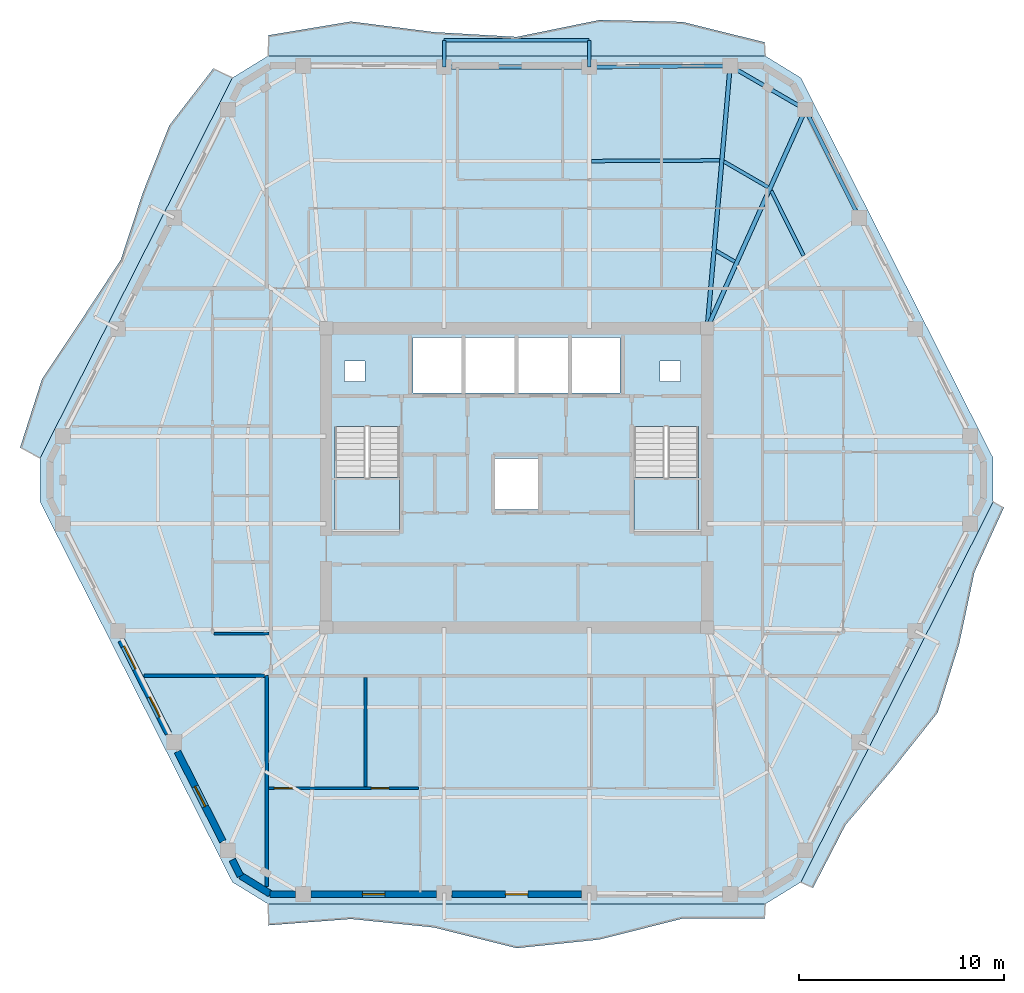
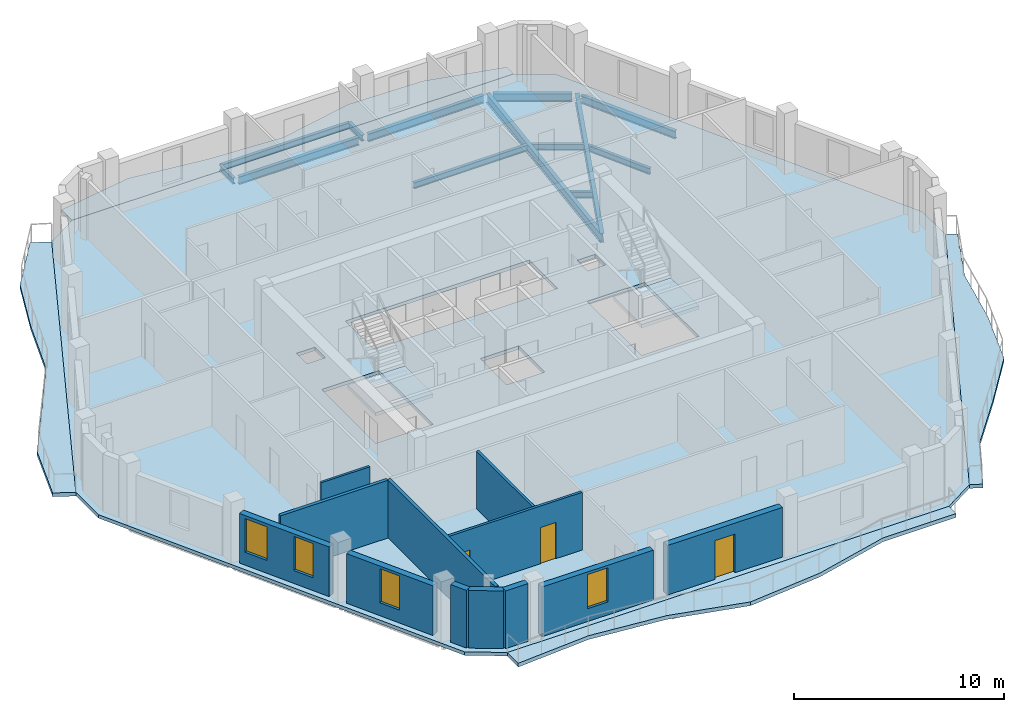
# One storey, part 3 of 9: 13 beams, 12 walls, 7 slabs, 4 windows, 3 doors, 7 openings, 2 elements without a shape of their own.
"""IFC4 building model written with IfcOpenShell, lengths in metres."""

from ifc_helpers import new_model, si_unit, direction, frame, frame_2d, origin, origin_2d, place, context, subcontext, project, spatial, polyline, rectangle, i_section, outline, extrude, material, layer, layer_set, material_profile, profile_set, type_object, element, fill, aggregate, save


model = new_model("IFC4")

# Units and contexts
model_context = context("Model", 3, precision=1e-05, world=origin(), true_north=direction((0.0, 1.0)))
body_context = subcontext(model_context, "Body", "Model", "MODEL_VIEW")
ifc_project = project(units=[si_unit("LENGTHUNIT", "METRE"), si_unit("AREAUNIT", "SQUARE_METRE"), si_unit("VOLUMEUNIT", "CUBIC_METRE"), si_unit("PLANEANGLEUNIT", "RADIAN"), si_unit("MASSUNIT", "GRAM", prefix="KILO")], contexts=[model_context])

# Site, building, storey
site_placement = place(None, origin())
site = spatial("IfcSite", under=ifc_project, at=site_placement, CompositionType="ELEMENT")
building_placement = place(site_placement, origin())
building = spatial("IfcBuilding", under=site, at=building_placement, Name="Cinnabar Lancet Tower", CompositionType="ELEMENT")
storey_placement = place(building_placement, frame((0.0, 0.0, 207.39990234375)))
storey = spatial("IfcBuildingStorey", under=building, at=storey_placement, Name="L55", CompositionType="ELEMENT", Elevation=207.39990234375)

# Beams
ifc_material_1 = material(Name="Structural steel S355", Category="steel")
ifc_material_profile_1 = material_profile(ifc_material_1, i_section(OverallWidth=0.17138671875, OverallDepth=0.35498046875, WebThickness=0.00732421875, FlangeThickness=0.011474609375, FilletRadius=0.01025390625, at=origin_2d()), Name="UKB 356x171x51")
ifc_profile_set_1 = profile_set([ifc_material_profile_1], Name="Structural steel S355")
beam_type_1 = type_object("IfcBeamType", Name="STR-BM-JST-356", PredefinedType="JOIST", material=ifc_profile_set_1)
beam_1_placement = place(storey_placement, frame((46.40087890625, 36.75, -0.3779296875), z_axis=(-0.444780091128, 0.895639810714, 0.0), x_axis=(-0.895639810714, -0.444780091128, 0.0)))
element("IfcBeam", 1, at=beam_1_placement, inside=storey, type_object=beam_type_1, Name="L55 Secondary Floor Joist 29", PredefinedType="JOIST", context=body_context, shape_type="SweptSolid", body=[
    extrude(i_section(OverallWidth=0.17138671875, OverallDepth=0.35498046875, WebThickness=0.00732421875, FlangeThickness=0.011474609375, FilletRadius=0.01025390625, at=origin_2d()), origin(), (0.0, 0.0, 1.0), 3.533935546875),
])
beam_2_placement = place(storey_placement, frame((44.677978515625, 40.089111328125, -0.3779296875), z_axis=(-0.865267839663, 0.501309849937, 0.0), x_axis=(-0.501309849937, -0.865267839663, 0.0)))
element("IfcBeam", 2, at=beam_2_placement, inside=storey, type_object=beam_type_1, Name="L55 Secondary Floor Joist 31", PredefinedType="JOIST", context=body_context, shape_type="SweptSolid", body=[
    extrude(i_section(OverallWidth=0.17138671875, OverallDepth=0.35498046875, WebThickness=0.00732421875, FlangeThickness=0.011474609375, FilletRadius=0.01025390625, at=origin_2d()), origin(), (0.0, 0.0, 1.0), 2.497314453125),
])
beam_3_placement = place(storey_placement, frame((43.047119140625, 36.45703125, -0.3779296875), z_axis=(-0.8651881055, 0.501447446998, 0.0), x_axis=(-0.501447446998, -0.8651881055, 0.0)))
element("IfcBeam", 3, at=beam_3_placement, inside=storey, type_object=beam_type_1, Name="L55 Secondary Floor Joist 32", PredefinedType="JOIST", context=body_context, shape_type="SweptSolid", body=[
    extrude(i_section(OverallWidth=0.17138671875, OverallDepth=0.35498046875, WebThickness=0.00732421875, FlangeThickness=0.011474609375, FilletRadius=0.01025390625, at=origin_2d()), origin(), (0.0, 0.0, 1.0), 1.05322265625),
])
beam_4_placement = place(storey_placement, frame((42.31201171875, 41.39794921875, -0.3779296875), z_axis=(-0.999986965561, -0.005105752523, 0.0), x_axis=(0.005105752523, -0.999986965561, 0.0)))
element("IfcBeam", 4, at=beam_4_placement, inside=storey, type_object=beam_type_1, Name="L55 Secondary Floor Joist 33", PredefinedType="JOIST", context=body_context, shape_type="SweptSolid", body=[
    extrude(i_section(OverallWidth=0.17138671875, OverallDepth=0.35498046875, WebThickness=0.00732421875, FlangeThickness=0.011474609375, FilletRadius=0.01025390625, at=origin_2d()), origin(), (0.0, 0.0, 1.0), 6.263916015625),
])
ifc_material_2 = material(Name="Structural steel S355", Category="steel")
ifc_material_profile_2 = material_profile(ifc_material_2, i_section(OverallWidth=0.1904296875, OverallDepth=0.45703125, WebThickness=0.009033203125, FlangeThickness=0.014404296875, FilletRadius=0.01025390625, at=origin_2d()), Name="UKB 457x191x74")
ifc_profile_set_2 = profile_set([ifc_material_profile_2], Name="Structural steel S355")
beam_type_2 = type_object("IfcBeamType", Name="STR-BM-SPN-457", PredefinedType="SPANDREL", material=ifc_profile_set_2)
beam_5_placement = place(storey_placement, frame((49.008056640625, 38.822998046875, -0.428955078125), z_axis=(-0.444932986899, 0.895563865489, 0.0), x_axis=(-0.895563865489, -0.444932986899, 0.0)))
element("IfcBeam", 5, at=beam_5_placement, inside=storey, type_object=beam_type_2, Name="L55 Perimeter Spandrel 11", PredefinedType="SPANDREL", context=body_context, shape_type="SweptSolid", body=[
    extrude(i_section(OverallWidth=0.1904296875, OverallDepth=0.45703125, WebThickness=0.009033203125, FlangeThickness=0.014404296875, FilletRadius=0.01025390625, at=origin_2d()), origin(), (0.0, 0.0, 1.0), 5.398681640625),
])
beam_6_placement = place(storey_placement, frame((46.279052734375, 44.007080078125, -0.428955078125), z_axis=(-0.865195717586, 0.501434313016, 0.0), x_axis=(-0.501434313016, -0.865195717586, 0.0)))
element("IfcBeam", 6, at=beam_6_placement, inside=storey, type_object=beam_type_2, Name="L55 Perimeter Spandrel 12", PredefinedType="SPANDREL", context=body_context, shape_type="SweptSolid", body=[
    extrude(i_section(OverallWidth=0.1904296875, OverallDepth=0.45703125, WebThickness=0.009033203125, FlangeThickness=0.014404296875, FilletRadius=0.01025390625, at=origin_2d()), origin(), (0.0, 0.0, 1.0), 3.7470703125),
])
beam_7_placement = place(storey_placement, frame((42.571044921875, 46.009033203125, -0.428955078125), z_axis=(-0.999970401924, -0.007693846685, 0.0), x_axis=(0.007693846685, -0.999970401924, 0.0)))
element("IfcBeam", 7, at=beam_7_placement, inside=storey, type_object=beam_type_2, Name="L55 Perimeter Spandrel 13", PredefinedType="SPANDREL", context=body_context, shape_type="SweptSolid", body=[
    extrude(i_section(OverallWidth=0.1904296875, OverallDepth=0.45703125, WebThickness=0.009033203125, FlangeThickness=0.014404296875, FilletRadius=0.01025390625, at=origin_2d()), origin(), (0.0, 0.0, 1.0), 6.378173828125),
])
beam_8_placement = place(storey_placement, frame((35.693115234375, 45.9580078125, -0.428955078125), z_axis=(-1.0, 0.0, 0.0), x_axis=(0.0, -1.0, 0.0)))
element("IfcBeam", 8, at=beam_8_placement, inside=storey, type_object=beam_type_2, Name="L55 Perimeter Spandrel 14", PredefinedType="SPANDREL", context=body_context, shape_type="SweptSolid", body=[
    extrude(i_section(OverallWidth=0.1904296875, OverallDepth=0.45703125, WebThickness=0.009033203125, FlangeThickness=0.014404296875, FilletRadius=0.01025390625, at=origin_2d()), origin(), (0.0, 0.0, 1.0), 6.586181640625),
])
ifc_material_3 = material(Name="Structural steel S355", Category="steel")
ifc_material_profile_3 = material_profile(ifc_material_3, i_section(OverallWidth=0.209228515625, OverallDepth=0.533203125, WebThickness=0.010009765625, FlangeThickness=0.015625, FilletRadius=0.0126953125, at=origin_2d()), Name="UKB 533x210x92")
ifc_profile_set_3 = profile_set([ifc_material_profile_3], Name="Structural steel S355")
beam_type_3 = type_object("IfcBeamType", Name="STR-BM-UKB533-92", PredefinedType="BEAM", material=ifc_profile_set_3)
beam_9_placement = place(storey_placement, frame((46.4951171875, 43.882080078125, -0.466796875), z_axis=(-0.409527011626, -0.912297992297, 0.0), x_axis=(0.912297992297, -0.409527011626, 0.0)))
element("IfcBeam", 9, at=beam_9_placement, inside=storey, type_object=beam_type_3, Name="L55 Primary Floor Girder 12", PredefinedType="BEAM", context=body_context, shape_type="SweptSolid", body=[
    extrude(i_section(OverallWidth=0.209228515625, OverallDepth=0.533203125, WebThickness=0.010009765625, FlangeThickness=0.015625, FilletRadius=0.0126953125, at=origin_2d()), origin(), (0.0, 0.0, 1.0), 11.708984375),
])
beam_10_placement = place(storey_placement, frame((42.821044921875, 46.010986328125, -0.466796875), z_axis=(-0.087176841412, -0.996192851973, 0.0), x_axis=(0.996192851973, -0.087176841412, 0.0)))
element("IfcBeam", 10, at=beam_10_placement, inside=storey, type_object=beam_type_3, Name="L55 Primary Floor Girder 13", PredefinedType="BEAM", context=body_context, shape_type="SweptSolid", body=[
    extrude(i_section(OverallWidth=0.209228515625, OverallDepth=0.533203125, WebThickness=0.010009765625, FlangeThickness=0.015625, FilletRadius=0.0126953125, at=origin_2d()), origin(), (0.0, 0.0, 1.0), 12.860107421875),
])
ifc_material_4 = material(Name="Structural steel S355", Category="steel")
ifc_material_profile_4 = material_profile(ifc_material_4, i_section(OverallWidth=0.17138671875, OverallDepth=0.35498046875, WebThickness=0.00732421875, FlangeThickness=0.011474609375, FilletRadius=0.01025390625, at=origin_2d()), Name="UKB 356x171x51")
ifc_profile_set_4 = profile_set([ifc_material_profile_4], Name="Structural steel S355")
beam_type_4 = type_object("IfcBeamType", Name="STR-BM-WAV-OUT", PredefinedType="BEAM", material=ifc_profile_set_4)
for number, where, z_axis, x_axis, name in (
    (11, (35.943115234375, 45.9580078125, -0.39794921875), (0.0, 1.0, 0.0), (-1.0, 0.0, 0.0), "L55 Face 4 Balcony Outlooker A"),
    (12, (28.85693359375, 45.9580078125, -0.39794921875), (0.0, 1.0, 0.0), (-1.0, 0.0, 0.0), "L55 Face 4 Balcony Outlooker B"),
):
    element("IfcBeam", number, at=place(storey_placement, frame(where, z_axis=z_axis, x_axis=x_axis)), inside=storey, type_object=beam_type_4, Name=name, PredefinedType="BEAM", context=body_context, shape_type="SweptSolid", body=[
        extrude(i_section(OverallWidth=0.17138671875, OverallDepth=0.35498046875, WebThickness=0.00732421875, FlangeThickness=0.011474609375, FilletRadius=0.01025390625, at=origin_2d()), origin(), (0.0, 0.0, 1.0), 1.300048828125),
    ])
ifc_material_5 = material(Name="Structural steel S355", Category="steel")
ifc_material_profile_5 = material_profile(ifc_material_5, i_section(OverallWidth=0.17138671875, OverallDepth=0.35498046875, WebThickness=0.00732421875, FlangeThickness=0.011474609375, FilletRadius=0.01025390625, at=origin_2d()), Name="UKB 356x171x51")
ifc_profile_set_5 = profile_set([ifc_material_profile_5], Name="Structural steel S355")
beam_type_5 = type_object("IfcBeamType", Name="STR-BM-WAV-TRIM", PredefinedType="SPANDREL", material=ifc_profile_set_5)
beam_11_placement = place(storey_placement, frame((35.943115234375, 47.258056640625, -0.39794921875), z_axis=(-1.0, 0.0, 0.0), x_axis=(0.0, -1.0, 0.0)))
element("IfcBeam", 13, at=beam_11_placement, inside=storey, type_object=beam_type_5, Name="L55 Face 4 Balcony Edge Trimmer", PredefinedType="SPANDREL", context=body_context, shape_type="SweptSolid", body=[
    extrude(i_section(OverallWidth=0.17138671875, OverallDepth=0.35498046875, WebThickness=0.00732421875, FlangeThickness=0.011474609375, FilletRadius=0.01025390625, at=origin_2d()), origin(), (0.0, 0.0, 1.0), 7.086181640625),
])

# Stair, slab
ifc_material_6 = material(Name="Concrete C40/50", Category="concrete")
stair_type = type_object("IfcStairType", Name="ST-CORE", PredefinedType="HALF_TURN_STAIR", material=ifc_material_6)
stair_1_placement = place(storey_placement, origin())
stair_1 = element("IfcStair", 14, at=stair_1_placement, inside=storey, type_object=stair_type, Name="L55 ST-1", PredefinedType="HALF_TURN_STAIR")
ifc_material_7 = material(Name="Concrete C40/50", Category="concrete")
ifc_layer_1 = layer(ifc_material_7, 0.199951171875)
ifc_layer_set_1 = layer_set([ifc_layer_1], Name="Concrete C40/50")
slab_type_1 = type_object("IfcSlabType", Name="LANDING-CORE", PredefinedType="LANDING", material=ifc_layer_set_1)
slab_1_placement = place(storey_placement, frame((0.0, 0.0, 1.5751953125)))
slab_1 = element("IfcSlab", 15, at=slab_1_placement, type_object=slab_type_1, Name="ST-1 landing 1", PredefinedType="LANDING", context=body_context, shape_type="SweptSolid", body=[
    extrude(outline(polyline([(23.52490234375, 25.925048828125), (23.52490234375, 23.25), (26.675048828125, 23.25), (26.675048828125, 25.925048828125), (23.52490234375, 25.925048828125)])), origin(), (0.0, 0.0, 1.0), 0.199951171875),
])
aggregate(stair_1, [slab_1])

stair_2_placement = place(storey_placement, origin())
stair_2 = element("IfcStair", 16, at=stair_2_placement, inside=storey, type_object=stair_type, Name="L55 ST-2", PredefinedType="HALF_TURN_STAIR")
slab_2_placement = place(storey_placement, frame((0.0, 0.0, 1.5751953125)))
slab_2 = element("IfcSlab", 17, at=slab_2_placement, type_object=slab_type_1, Name="ST-2 landing 1", PredefinedType="LANDING", context=body_context, shape_type="SweptSolid", body=[
    extrude(outline(polyline([(38.125, 25.925048828125), (38.125, 23.25), (41.27490234375, 23.25), (41.27490234375, 25.925048828125), (38.125, 25.925048828125)])), origin(), (0.0, 0.0, 1.0), 0.199951171875),
])
aggregate(stair_2, [slab_2])

# Slabs
ifc_material_8 = material(Name="Concrete C40/50", Category="concrete")
ifc_layer_2 = layer(ifc_material_8, 0.199951171875)
ifc_layer_set_2 = layer_set([ifc_layer_2], Name="Concrete C40/50")
slab_type_2 = type_object("IfcSlabType", Name="STR-SLB-FLR-200", PredefinedType="FLOOR", material=ifc_layer_set_2)
slab_3_placement = place(storey_placement, frame((0.0, 0.0, -0.199951171875)))
element("IfcSlab", 18, at=slab_3_placement, inside=storey, type_object=slab_type_2, Name="L55 Structural Floor Slab", PredefinedType="FLOOR", context=body_context, shape_type="SweptSolid", body=[
    extrude(outline(polyline([(18.530029296875, 6.1708984375), (20.27197265625, 5.10009765625), (44.528076171875, 5.10009765625), (46.27001953125, 6.1708984375), (55.657958984375, 24.72900390625), (55.657958984375, 26.87109375), (46.27001953125, 45.428955078125), (44.528076171875, 46.5), (20.27197265625, 46.5), (18.530029296875, 45.428955078125), (9.14208984375, 26.87109375), (9.14208984375, 24.72900390625), (18.530029296875, 6.1708984375)]), holes=[polyline([(23.52490234375, 23.25), (26.675048828125, 23.25), (26.675048828125, 28.3994140625), (23.52490234375, 28.3994140625), (23.52490234375, 23.25)]), polyline([(38.125, 23.25), (41.27490234375, 23.25), (41.27490234375, 28.3994140625), (38.125, 28.3994140625), (38.125, 23.25)]), polyline([(27.35009765625, 30.050048828125), (37.449951171875, 30.050048828125), (37.449951171875, 32.75), (27.35009765625, 32.75), (27.35009765625, 30.050048828125)]), polyline([(31.35009765625, 24.35009765625), (33.449951171875, 24.35009765625), (33.449951171875, 26.85009765625), (31.35009765625, 26.85009765625), (31.35009765625, 24.35009765625)]), polyline([(24.0, 30.60009765625), (25.0, 30.60009765625), (25.0, 31.60009765625), (24.0, 31.60009765625), (24.0, 30.60009765625)]), polyline([(39.39990234375, 30.60009765625), (40.39990234375, 30.60009765625), (40.39990234375, 31.60009765625), (39.39990234375, 31.60009765625), (39.39990234375, 30.60009765625)])]), origin(), (0.0, 0.0, 1.0), 0.199951171875),
])
ifc_material_9 = material(Name="Concrete C45/55", Category="concrete")
ifc_layer_3 = layer(ifc_material_9, 0.219970703125)
ifc_layer_set_3 = layer_set([ifc_layer_3], Name="Concrete C45/55")
slab_type_3 = type_object("IfcSlabType", Name="STR-SLB-WAV-220", PredefinedType="FLOOR", material=ifc_layer_set_3)
slab_4_placement = place(storey_placement, frame((0.0, 0.0, -0.219970703125)))
element("IfcSlab", 19, at=slab_4_placement, inside=storey, type_object=slab_type_3, Name="L55 Face 1 Undulating Wave Balcony Slab", PredefinedType="FLOOR", context=body_context, shape_type="SweptSolid", body=[
    extrude(outline(polyline([(20.27197265625, 5.10009765625), (20.27197265625, 4.06396484375), (24.31494140625, 4.3740234375), (28.35693359375, 3.958984375), (32.39990234375, 2.947998046875), (36.443115234375, 3.368896484375), (40.485107421875, 4.389892578125), (44.528076171875, 4.408935546875), (44.528076171875, 5.10009765625), (20.27197265625, 5.10009765625)])), origin(), (0.0, 0.0, 1.0), 0.219970703125),
])
slab_5_placement = place(storey_placement, frame((0.0, 0.0, -0.219970703125)))
element("IfcSlab", 20, at=slab_5_placement, inside=storey, type_object=slab_type_3, Name="L55 Face 2 Undulating Wave Balcony Slab", PredefinedType="FLOOR", context=body_context, shape_type="SweptSolid", body=[
    extrude(outline(polyline([(46.27001953125, 6.1708984375), (46.85595703125, 5.8740234375), (48.446044921875, 8.955078125), (50.75, 11.674072265625), (52.947998046875, 14.446044921875), (53.998046875, 17.800048828125), (54.7451171875, 21.305908203125), (56.18701171875, 24.4619140625), (55.657958984375, 24.72900390625), (46.27001953125, 6.1708984375)])), origin(), (0.0, 0.0, 1.0), 0.219970703125),
])
slab_6_placement = place(storey_placement, frame((0.0, 0.0, -0.219970703125)))
element("IfcSlab", 21, at=slab_6_placement, inside=storey, type_object=slab_type_3, Name="L55 Face 4 Undulating Wave Balcony Slab", PredefinedType="FLOOR", context=body_context, shape_type="SweptSolid", body=[
    extrude(outline(polyline([(44.528076171875, 46.5), (44.528076171875, 47.156982421875), (40.485107421875, 48.158935546875), (36.443115234375, 48.2509765625), (32.39990234375, 47.426025390625), (28.35693359375, 47.660888671875), (24.31494140625, 48.176025390625), (20.27197265625, 47.501953125), (20.27197265625, 46.5), (44.528076171875, 46.5)])), origin(), (0.0, 0.0, 1.0), 0.219970703125),
])
slab_7_placement = place(storey_placement, frame((0.0, 0.0, -0.219970703125)))
element("IfcSlab", 22, at=slab_7_placement, inside=storey, type_object=slab_type_3, Name="L55 Face 5 Undulating Wave Balcony Slab", PredefinedType="FLOOR", context=body_context, shape_type="SweptSolid", body=[
    extrude(outline(polyline([(18.530029296875, 45.428955078125), (17.60595703125, 45.89697265625), (15.447998046875, 43.10302734375), (14.1708984375, 39.864990234375), (13.073974609375, 36.534912109375), (11.159912109375, 33.618896484375), (9.22998046875, 30.7109375), (8.159912109375, 27.367919921875), (9.14208984375, 26.87109375), (18.530029296875, 45.428955078125)])), origin(), (0.0, 0.0, 1.0), 0.219970703125),
])

# Walls
ifc_material_10 = material(Name="Fire-rated twin-frame acoustic drywall", Category="gypsum")
ifc_layer_4 = layer(ifc_material_10, 0.179931640625)
ifc_layer_set_4 = layer_set([ifc_layer_4], Name="Fire-rated twin-frame acoustic drywall")
wall_type_1 = type_object("IfcWallType", Name="ARC-WL-PARTY-180", PredefinedType="PARTITIONING", material=ifc_layer_set_4)
wall_1_placement = place(storey_placement, frame((20.199951171875, 5.968017578125, 0.0), z_axis=(0.0, 0.0, 1.0), x_axis=(0.0, 1.0, 0.0)))
element("IfcWall", 23, at=wall_1_placement, inside=storey, type_object=wall_type_1, Name="PW-L55-SPTY-202", PredefinedType="PARTITIONING", context=body_context, shape_type="SweptSolid", body=[
    extrude(rectangle(XDim=10.281982421875, YDim=0.179931640625, at=frame_2d((5.14111328125, 0.0))), origin(), (0.0, 0.0, 1.0), 3.35009765625),
])
wall_2_placement = place(storey_placement, frame((14.2109375, 16.25, 0.0), z_axis=(0.0, 0.0, 1.0), x_axis=(1.0, 0.0, 0.0)))
element("IfcWall", 24, at=wall_2_placement, inside=storey, type_object=wall_type_1, Name="PW-L55-WSB", PredefinedType="PARTITIONING", context=body_context, shape_type="SweptSolid", body=[
    extrude(rectangle(XDim=5.89404296875, YDim=0.179931640625, at=frame_2d((2.947021484375, 0.0))), origin(), (0.0, 0.0, 1.0), 3.35009765625),
])
ifc_material_11 = material(Name="Gypsum plasterboard stud partition", Category="gypsum")
ifc_layer_5 = layer(ifc_material_11, 0.125)
ifc_layer_set_5 = layer_set([ifc_layer_5], Name="Gypsum plasterboard stud partition")
wall_type_2 = type_object("IfcWallType", Name="ARC-WL-UNIT-125", PredefinedType="PARTITIONING", material=ifc_layer_set_5)
wall_3_placement = place(storey_placement, frame((17.635009765625, 18.300048828125, 0.0), z_axis=(0.0, 0.0, 1.0), x_axis=(1.0, 0.0, 0.0)))
element("IfcWall", 25, at=wall_3_placement, inside=storey, type_object=wall_type_2, Name="UW-L55-W01-FOYN", PredefinedType="PARTITIONING", context=body_context, shape_type="SweptSolid", body=[
    extrude(rectangle(XDim=2.679931640625, YDim=0.125, at=frame_2d((1.33984375, 0.0))), origin(), (0.0, 0.0, 1.0), 2.80712890625),
])

# Wall, openings, doors
ifc_material_12 = material(Name="Moisture-resistant cement-board plumbing wall", Category="masonry")
ifc_layer_6 = layer(ifc_material_12, 0.139892578125)
ifc_layer_set_6 = layer_set([ifc_layer_6], Name="Moisture-resistant cement-board plumbing wall")
wall_type_3 = type_object("IfcWallType", Name="ARC-WL-WET-140", PredefinedType="PLUMBINGWALL", material=ifc_layer_set_6)
wall_4_placement = place(storey_placement, frame((20.294921875, 10.751953125, 0.0), z_axis=(0.0, 0.0, 1.0), x_axis=(1.0, 0.0, 0.0)))
wall_4 = element("IfcWall", 26, at=wall_4_placement, inside=storey, type_object=wall_type_3, Name="UW-L55-S01-SPM", PredefinedType="PLUMBINGWALL", context=body_context, shape_type="SweptSolid", body=[
    extrude(rectangle(XDim=7.316162109375, YDim=0.139892578125, at=frame_2d((3.658203125, 0.0))), origin(), (0.0, 0.0, 1.0), 3.35009765625),
])
opening_1_placement = place(wall_4_placement, frame((0.280029296875, 0.0, 0.0)))
opening_1 = element("IfcOpeningElement", 27, at=opening_1_placement, cuts=wall_4, Name="Opening RD-02", PredefinedType="OPENING", context=body_context, shape_type="SweptSolid", body=[
    extrude(rectangle(XDim=0.8798828125, YDim=2.14990234375, at=frame_2d((0.43994140625, 1.074951171875))), frame((0.0, 0.079833984375, 0.0), z_axis=(0.0, -1.0, 0.0), x_axis=(1.0, 0.0, 0.0)), (0.0, 0.0, 1.0), 0.159912109375),
])
opening_2_placement = place(wall_4_placement, frame((5.010986328125, 0.0, 0.0)))
opening_2 = element("IfcOpeningElement", 28, at=opening_2_placement, cuts=wall_4, Name="Opening BD-01", PredefinedType="OPENING", context=body_context, shape_type="SweptSolid", body=[
    extrude(rectangle(XDim=0.860107421875, YDim=2.10009765625, at=frame_2d((0.43017578125, 1.050048828125))), frame((0.0, 0.079833984375, 0.0), z_axis=(0.0, -1.0, 0.0), x_axis=(1.0, 0.0, 0.0)), (0.0, 0.0, 1.0), 0.159912109375),
])
ifc_material_13 = material(Name="Moisture-resistant timber bathroom door", Category="wood")
door_type_1 = type_object("IfcDoorType", Name="ARC-DR-BATH", OperationType="NOTDEFINED", PredefinedType="DOOR", material=ifc_material_13)
door_1_placement = place(opening_2_placement, origin())
door_1 = element("IfcDoor", 29, at=door_1_placement, inside=storey, type_object=door_type_1, Name="DR-L55-S01-ENS", OperationType="SINGLE_SWING_LEFT", OverallHeight=2.10009765625, OverallWidth=0.860107421875, PredefinedType="DOOR", context=body_context, shape_type="SweptSolid", body=[
    extrude(rectangle(XDim=0.860107421875, YDim=2.10009765625, at=frame_2d((0.43017578125, 1.050048828125))), frame((0.0, 0.02490234375, 0.0), z_axis=(0.0, -1.0, 0.0), x_axis=(1.0, 0.0, 0.0)), (0.0, 0.0, 1.0), 0.050048828125),
])
fill(opening_2, door_1)
ifc_material_14 = material(Name="Engineered timber study door", Category="wood")
door_type_2 = type_object("IfcDoorType", Name="ARC-DR-STUDY", OperationType="NOTDEFINED", PredefinedType="DOOR", material=ifc_material_14)
door_2_placement = place(opening_1_placement, origin())
door_2 = element("IfcDoor", 30, at=door_2_placement, inside=storey, type_object=door_type_2, Name="DR-L55-S01-ENS-WDR", OperationType="SINGLE_SWING_RIGHT", OverallHeight=2.14990234375, OverallWidth=0.8798828125, PredefinedType="DOOR", context=body_context, shape_type="SweptSolid", body=[
    extrude(rectangle(XDim=0.8798828125, YDim=2.14990234375, at=frame_2d((0.43994140625, 1.074951171875))), frame((0.0, 0.02490234375, 0.0), z_axis=(0.0, -1.0, 0.0), x_axis=(1.0, 0.0, 0.0)), (0.0, 0.0, 1.0), 0.050048828125),
])
fill(opening_1, door_2)

# Walls
wall_5_placement = place(storey_placement, frame((25.02587890625, 10.8369140625, 0.0), z_axis=(0.0, 0.0, 1.0), x_axis=(0.0, 1.0, 0.0)))
element("IfcWall", 31, at=wall_5_placement, inside=storey, type_object=wall_type_3, Name="UW-L55-S01-ENS-WDV", PredefinedType="PLUMBINGWALL", context=body_context, shape_type="SweptSolid", body=[
    extrude(rectangle(XDim=5.328125, YDim=0.139892578125, at=frame_2d((2.6640625, 0.0))), origin(), (0.0, 0.0, 1.0), 3.35009765625),
])
ifc_material_15 = material(Name="Cinnabar red clay brick", Category="masonry")
ifc_layer_7 = layer(ifc_material_15, 0.340087890625)
ifc_layer_set_7 = layer_set([ifc_layer_7], Name="Cinnabar red clay brick")
wall_type_4 = type_object("IfcWallType", Name="ENV-WL-BRK-RED-340", PredefinedType="STANDARD", material=ifc_layer_set_7)
wall_6_placement = place(storey_placement, frame((18.93798828125, 6.48388671875, 0.0), z_axis=(0.0, 0.0, 1.0), x_axis=(0.851778214877, -0.523902541185, 0.0)))
element("IfcWall", 32, at=wall_6_placement, inside=storey, type_object=wall_type_4, Name="L55 Chamfered Corner Brick Pier 1.1", PredefinedType="STANDARD", context=body_context, shape_type="SweptSolid", body=[
    extrude(rectangle(XDim=1.677734375, YDim=0.340087890625, at=frame_2d((0.8388671875, 0.0))), origin(), (0.0, 0.0, 1.0), 3.35009765625),
])
wall_7_placement = place(storey_placement, frame((20.362060546875, 5.580078125, 0.0), z_axis=(0.0, 0.0, 1.0), x_axis=(1.0, 0.0, 0.0)))
element("IfcWall", 33, at=wall_7_placement, inside=storey, type_object=wall_type_4, Name="L55 Face 1 Masonry Bay Wall 1", PredefinedType="STANDARD", context=body_context, shape_type="SweptSolid", body=[
    extrude(rectangle(XDim=1.238037109375, YDim=0.340087890625, at=frame_2d((0.619140625, 0.0))), origin(), (0.0, 0.0, 1.0), 3.35009765625),
])

# Wall, opening, window
wall_8_placement = place(storey_placement, frame((22.35791015625, 5.580078125, 0.0), z_axis=(0.0, 0.0, 1.0), x_axis=(1.0, 0.0, 0.0)))
wall_8 = element("IfcWall", 34, at=wall_8_placement, inside=storey, type_object=wall_type_4, Name="L55 Face 1 Masonry Bay Wall 2", PredefinedType="STANDARD", context=body_context, shape_type="SweptSolid", body=[
    extrude(rectangle(XDim=6.1201171875, YDim=0.340087890625, at=frame_2d((3.06005859375, 0.0))), origin(), (0.0, 0.0, 1.0), 2.883056640625),
])
opening_3_placement = place(wall_8_placement, frame((2.510009765625, 0.0, 0.75)))
opening_3 = element("IfcOpeningElement", 35, at=opening_3_placement, cuts=wall_8, Name="Opening WN-04", PredefinedType="OPENING", context=body_context, shape_type="SweptSolid", body=[
    extrude(rectangle(XDim=1.10009765625, YDim=1.98291015625, at=frame_2d((0.550048828125, 0.991455078125))), frame((0.0, 0.179931640625, 0.0), z_axis=(0.0, -1.0, 0.0), x_axis=(1.0, 0.0, 0.0)), (0.0, 0.0, 1.0), 0.360107421875),
])
ifc_material_16 = material(Name="Thermally broken bronze-anodized aluminium tall lancet window", Category="aluminium")
window_type_1 = type_object("IfcWindowType", Name="ENV-WN-LANCET-1100", PartitioningType="SINGLE_PANEL", PredefinedType="WINDOW", material=ifc_material_16)
window_1_placement = place(opening_3_placement, origin())
window_1 = element("IfcWindow", 36, at=window_1_placement, inside=storey, type_object=window_type_1, Name="L55 Face 1 Gothic Lancet Window 2", OverallHeight=1.98291015625, OverallWidth=1.10009765625, PartitioningType="SINGLE_PANEL", PredefinedType="WINDOW", context=body_context, shape_type="SweptSolid", body=[
    extrude(rectangle(XDim=1.10009765625, YDim=1.98291015625, at=frame_2d((0.550048828125, 0.991455078125))), frame((0.0, 0.030029296875, 0.0), z_axis=(0.0, -1.0, 0.0), x_axis=(1.0, 0.0, 0.0)), (0.0, 0.0, 1.0), 0.06005859375),
])
fill(opening_3, window_1)

# Wall, opening, door
wall_9_placement = place(storey_placement, frame((29.236083984375, 5.580078125, 0.0), z_axis=(0.0, 0.0, 1.0), x_axis=(1.0, 0.0, 0.0)))
wall_9 = element("IfcWall", 37, at=wall_9_placement, inside=storey, type_object=wall_type_4, Name="L55 Face 1 Masonry Bay Wall 3", PredefinedType="STANDARD", context=body_context, shape_type="SweptSolid", body=[
    extrude(rectangle(XDim=6.327880859375, YDim=0.340087890625, at=frame_2d((3.1640625, 0.0))), origin(), (0.0, 0.0, 1.0), 2.883056640625),
])
opening_4_placement = place(wall_9_placement, frame((2.614013671875, 0.0, 0.0)))
opening_4 = element("IfcOpeningElement", 38, at=opening_4_placement, cuts=wall_9, Name="Opening TD-01", PredefinedType="OPENING", context=body_context, shape_type="SweptSolid", body=[
    extrude(rectangle(XDim=1.10009765625, YDim=2.25, at=frame_2d((0.550048828125, 1.125))), frame((0.0, 0.179931640625, 0.0), z_axis=(0.0, -1.0, 0.0), x_axis=(1.0, 0.0, 0.0)), (0.0, 0.0, 1.0), 0.360107421875),
])
ifc_material_17 = material(Name="Thermally broken low-E glazed balcony terrace door", Category="wood")
door_type_3 = type_object("IfcDoorType", Name="ARC-DR-BALC", OperationType="NOTDEFINED", PredefinedType="DOOR", material=ifc_material_17)
door_3_placement = place(opening_4_placement, origin())
door_3 = element("IfcDoor", 39, at=door_3_placement, inside=storey, type_object=door_type_3, Name="L55 Face 1 Glazed Terrace Door", OperationType="SINGLE_SWING_RIGHT", OverallHeight=2.25, OverallWidth=1.10009765625, PredefinedType="DOOR", context=body_context, shape_type="SweptSolid", body=[
    extrude(rectangle(XDim=1.10009765625, YDim=2.25, at=frame_2d((0.550048828125, 1.125))), frame((0.0, 0.02490234375, 0.0), z_axis=(0.0, -1.0, 0.0), x_axis=(1.0, 0.0, 0.0)), (0.0, 0.0, 1.0), 0.050048828125),
])
fill(opening_4, door_3)

# Wall, openings, windows
wall_10_placement = place(storey_placement, frame((13.096923828125, 17.972900390625, 0.0), z_axis=(0.0, 0.0, 1.0), x_axis=(0.451463920536, -0.892289374841, 0.0)))
wall_10 = element("IfcWall", 40, at=wall_10_placement, inside=storey, type_object=wall_type_4, Name="L55 Face 6 Masonry Bay Wall 3", PredefinedType="STANDARD", context=body_context, shape_type="SweptSolid", body=[
    extrude(rectangle(XDim=5.0947265625, YDim=0.340087890625, at=frame_2d((2.54736328125, 0.0))), origin(), (0.0, 0.0, 1.0), 2.883056640625),
])
opening_5_placement = place(wall_10_placement, frame((0.320068359375, 0.0, 0.75)))
opening_5 = element("IfcOpeningElement", 41, at=opening_5_placement, cuts=wall_10, Name="Opening WN-03", PredefinedType="OPENING", context=body_context, shape_type="SweptSolid", body=[
    extrude(rectangle(XDim=1.25, YDim=1.949951171875, at=frame_2d((0.625, 0.97509765625))), frame((0.0, 0.179931640625, 0.0), z_axis=(0.0, -1.0, 0.0), x_axis=(1.0, 0.0, 0.0)), (0.0, 0.0, 1.0), 0.360107421875),
])
opening_6_placement = place(wall_10_placement, frame((3.093017578125, 0.0, 0.75)))
opening_6 = element("IfcOpeningElement", 42, at=opening_6_placement, cuts=wall_10, Name="Opening WN-04", PredefinedType="OPENING", context=body_context, shape_type="SweptSolid", body=[
    extrude(rectangle(XDim=1.10009765625, YDim=1.98291015625, at=frame_2d((0.550048828125, 0.991455078125))), frame((0.0, 0.179931640625, 0.0), z_axis=(0.0, -1.0, 0.0), x_axis=(1.0, 0.0, 0.0)), (0.0, 0.0, 1.0), 0.360107421875),
])
window_2_placement = place(opening_6_placement, origin())
window_2 = element("IfcWindow", 43, at=window_2_placement, inside=storey, type_object=window_type_1, Name="L55 Split-Bay Gothic Lancet Window 191", OverallHeight=1.98291015625, OverallWidth=1.10009765625, PartitioningType="SINGLE_PANEL", PredefinedType="WINDOW", context=body_context, shape_type="SweptSolid", body=[
    extrude(rectangle(XDim=1.10009765625, YDim=1.98291015625, at=frame_2d((0.550048828125, 0.991455078125))), frame((0.0, 0.030029296875, 0.0), z_axis=(0.0, -1.0, 0.0), x_axis=(1.0, 0.0, 0.0)), (0.0, 0.0, 1.0), 0.06005859375),
])
fill(opening_6, window_2)
ifc_material_18 = material(Name="Thermally broken bronze-anodized aluminium low-E double glazing", Category="aluminium")
window_type_2 = type_object("IfcWindowType", Name="ENV-WN-LANCET-1250", PartitioningType="SINGLE_PANEL", PredefinedType="WINDOW", material=ifc_material_18)
window_3_placement = place(opening_5_placement, origin())
window_3 = element("IfcWindow", 44, at=window_3_placement, inside=storey, type_object=window_type_2, Name="L55 Face 6 Gothic Lancet Window 3", OverallHeight=1.949951171875, OverallWidth=1.25, PartitioningType="SINGLE_PANEL", PredefinedType="WINDOW", context=body_context, shape_type="SweptSolid", body=[
    extrude(rectangle(XDim=1.25, YDim=1.949951171875, at=frame_2d((0.625, 0.97509765625))), frame((0.0, 0.030029296875, 0.0), z_axis=(0.0, -1.0, 0.0), x_axis=(1.0, 0.0, 0.0)), (0.0, 0.0, 1.0), 0.06005859375),
])
fill(opening_5, window_3)

# Wall, opening, window
wall_11_placement = place(storey_placement, frame((15.843017578125, 12.544921875, 0.0), z_axis=(0.0, 0.0, 1.0), x_axis=(0.451544279509, -0.892248711763, 0.0)))
wall_11 = element("IfcWall", 45, at=wall_11_placement, inside=storey, type_object=wall_type_4, Name="L55 Face 6 Masonry Bay Wall 4", PredefinedType="STANDARD", context=body_context, shape_type="SweptSolid", body=[
    extrude(rectangle(XDim=4.909912109375, YDim=0.340087890625, at=frame_2d((2.455078125, 0.0))), origin(), (0.0, 0.0, 1.0), 2.883056640625),
])
opening_7_placement = place(wall_11_placement, frame((1.905029296875, 0.0, 0.75)))
opening_7 = element("IfcOpeningElement", 46, at=opening_7_placement, cuts=wall_11, Name="Opening WN-04", PredefinedType="OPENING", context=body_context, shape_type="SweptSolid", body=[
    extrude(rectangle(XDim=1.10009765625, YDim=1.98291015625, at=frame_2d((0.550048828125, 0.991455078125))), frame((0.0, 0.179931640625, 0.0), z_axis=(0.0, -1.0, 0.0), x_axis=(1.0, 0.0, 0.0)), (0.0, 0.0, 1.0), 0.360107421875),
])
window_4_placement = place(opening_7_placement, origin())
window_4 = element("IfcWindow", 47, at=window_4_placement, inside=storey, type_object=window_type_1, Name="L55 Face 6 Gothic Lancet Window 4", OverallHeight=1.98291015625, OverallWidth=1.10009765625, PartitioningType="SINGLE_PANEL", PredefinedType="WINDOW", context=body_context, shape_type="SweptSolid", body=[
    extrude(rectangle(XDim=1.10009765625, YDim=1.98291015625, at=frame_2d((0.550048828125, 0.991455078125))), frame((0.0, 0.030029296875, 0.0), z_axis=(0.0, -1.0, 0.0), x_axis=(1.0, 0.0, 0.0)), (0.0, 0.0, 1.0), 0.06005859375),
])
fill(opening_7, window_4)

# Wall
wall_12_placement = place(storey_placement, frame((18.51611328125, 7.261962890625, 0.0), z_axis=(0.0, 0.0, 1.0), x_axis=(0.451597983141, -0.892221531697, 0.0)))
element("IfcWall", 48, at=wall_12_placement, inside=storey, type_object=wall_type_4, Name="L55 Face 6 Masonry Bay Wall 5", PredefinedType="STANDARD", context=body_context, shape_type="SweptSolid", body=[
    extrude(rectangle(XDim=0.889892578125, YDim=0.340087890625, at=frame_2d((0.44482421875, 0.0))), origin(), (0.0, 0.0, 1.0), 3.35009765625),
])

save(model, "model.ifc")
